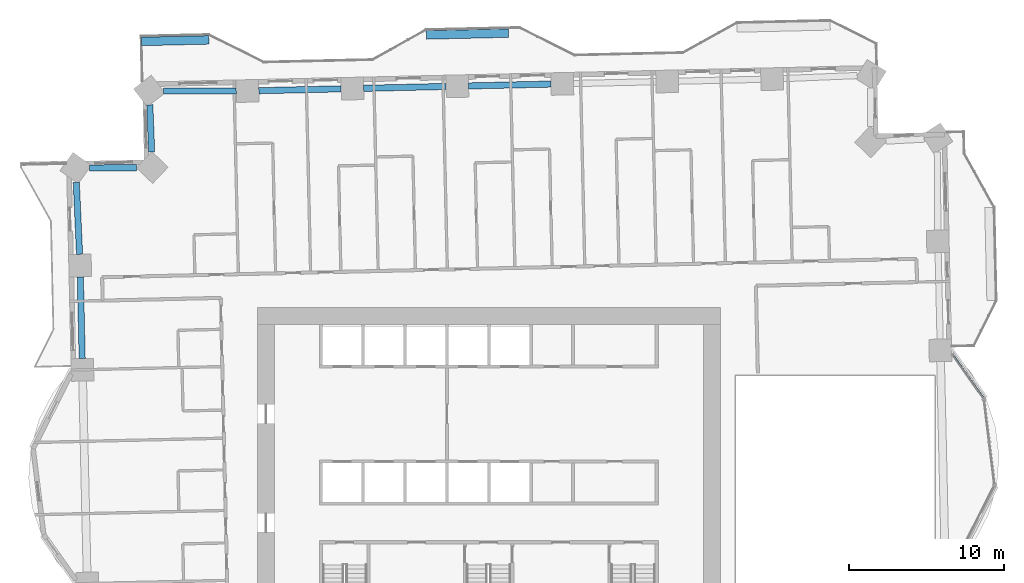
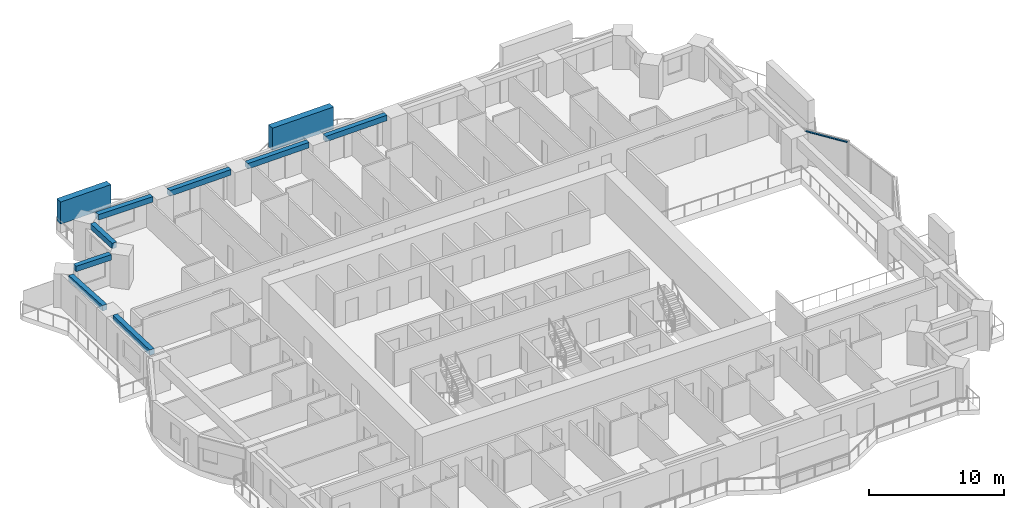
# One storey, part 3 of 17: 8 beams, 3 members, 1 element without a shape of its own.
"""IFC4 building model written with IfcOpenShell, lengths in metres."""

from ifc_helpers import new_model, si_unit, direction, frame, origin, origin_2d, place, context, subcontext, project, spatial, rectangle, extrude, material, material_profile, profile_set, type_object, element, aggregate, save


model = new_model("IFC4")

# Units and contexts
model_context = context("Model", 3, precision=1e-05, world=origin(), true_north=direction((0.0, 1.0)))
body_context = subcontext(model_context, "Body", "Model", "MODEL_VIEW")
ifc_project = project(units=[si_unit("LENGTHUNIT", "METRE"), si_unit("AREAUNIT", "SQUARE_METRE"), si_unit("VOLUMEUNIT", "CUBIC_METRE"), si_unit("PLANEANGLEUNIT", "RADIAN"), si_unit("MASSUNIT", "GRAM", prefix="KILO")], contexts=[model_context])

# Site, building, storey
site_placement = place(None, origin())
site = spatial("IfcSite", under=ifc_project, at=site_placement, CompositionType="ELEMENT")
building_placement = place(site_placement, origin())
building = spatial("IfcBuilding", under=site, at=building_placement, Name="Mangrove Gate Tower", CompositionType="ELEMENT")
storey_placement = place(building_placement, frame((0.0, 0.0, 82.89990234375)))
storey = spatial("IfcBuildingStorey", under=building, at=storey_placement, Name="L20", CompositionType="ELEMENT", Elevation=82.89990234375)

# Curtain wall, member
ifc_material_1 = material(Name="Aluminium and glass curtain wall", Category="aluminium")
curtain_wall_type = type_object("IfcCurtainWallType", Name="Atrium garden-court glazing wall", PredefinedType="NOTDEFINED", material=ifc_material_1)
curtain_wall_placement = place(storey_placement, origin())
curtain_wall = element("IfcCurtainWall", 1, at=curtain_wall_placement, inside=storey, type_object=curtain_wall_type, Name="Atrium garden-court glazing E1f3", PredefinedType="NOTDEFINED")
ifc_material_2 = material(Name="Aluminium alloy 6063-T6", Category="aluminium")
ifc_material_profile_1 = material_profile(ifc_material_2, rectangle(XDim=0.070068359375, YDim=0.14990234375, at=origin_2d()))
ifc_profile_set_1 = profile_set([ifc_material_profile_1], Name="Aluminium alloy 6063-T6")
member_type_1 = type_object("IfcMemberType", Name="Atrium garden-court glazing transom 70x150", PredefinedType="USERDEFINED", material=ifc_profile_set_1)
member_1_placement = place(storey_placement, frame((31.810791015625, 6.06689453125, 3.01513671875), z_axis=(-0.578094404228, 0.815969889028, 0.0), x_axis=(0.0, 0.0, 1.0)))
member_1 = element("IfcMember", 2, at=member_1_placement, type_object=member_type_1, Name="CWA transom 1.2", ObjectType="TRANSOM", PredefinedType="USERDEFINED", context=body_context, shape_type="SweptSolid", body=[
    extrude(rectangle(XDim=0.070068359375, YDim=0.14990234375, at=origin_2d()), origin(), (0.0, 0.0, 1.0), 3.427978515625),
])
aggregate(curtain_wall, [member_1])

# Members
ifc_material_3 = material(Name="Planting on aluminium trellis", Category="aluminium")
ifc_material_profile_2 = material_profile(ifc_material_3, rectangle(XDim=0.550048828125, YDim=2.0, at=origin_2d()))
ifc_profile_set_2 = profile_set([ifc_material_profile_2], Name="Planting on aluminium trellis")
member_type_2 = type_object("IfcMemberType", Name="Balcony greenery screen 550x2000", PredefinedType="USERDEFINED", material=ifc_profile_set_2)
member_2_placement = place(storey_placement, frame((-22.364013671875, 29.028076171875, 1.800048828125), z_axis=(0.999739971854, 0.022803260228, 0.0), x_axis=(-0.022803260228, 0.999739971854, 0.0)))
element("IfcMember", 3, at=member_2_placement, inside=storey, type_object=member_type_2, Name="GREEN SCREEN L20 N1.1", ObjectType="PLANTING", PredefinedType="USERDEFINED", context=body_context, shape_type="SweptSolid", body=[
    extrude(rectangle(XDim=0.550048828125, YDim=2.0, at=origin_2d()), origin(), (0.0, 0.0, 1.0), 4.336181640625),
])
member_3_placement = place(storey_placement, frame((-4.031982421875, 29.444091796875, 1.800048828125), z_axis=(0.999739953222, 0.022804077086, 0.0), x_axis=(-0.022804077086, 0.999739953222, 0.0)))
element("IfcMember", 4, at=member_3_placement, inside=storey, type_object=member_type_2, Name="GREEN SCREEN L20 N1.2", ObjectType="PLANTING", PredefinedType="USERDEFINED", context=body_context, shape_type="SweptSolid", body=[
    extrude(rectangle(XDim=0.550048828125, YDim=2.0, at=origin_2d()), origin(), (0.0, 0.0, 1.0), 5.299560546875),
])

# Beams
ifc_material_4 = material(Name="Concrete C50/60", Category="concrete")
ifc_material_profile_3 = material_profile(ifc_material_4, rectangle(XDim=0.39990234375, YDim=0.5, at=origin_2d()))
ifc_profile_set_3 = profile_set([ifc_material_profile_3], Name="Concrete C50/60")
beam_type = type_object("IfcBeamType", Name="Edge beam RC 400x500 C50/60", PredefinedType="BEAM", material=ifc_profile_set_3)
beam_1_placement = place(storey_placement, frame((3.99365234375, 26.28564453125, 2.800048828125), z_axis=(-0.99974349642, -0.02264820887, 0.0), x_axis=(0.02264820887, -0.99974349642, 0.0)))
element("IfcBeam", 5, at=beam_1_placement, inside=storey, type_object=beam_type, Name="Edge beam L20 23", PredefinedType="BEAM", context=body_context, shape_type="SweptSolid", body=[
    extrude(rectangle(XDim=0.39990234375, YDim=0.5, at=origin_2d()), origin(), (0.0, 0.0, 1.0), 5.3037109375),
])
beam_2_placement = place(storey_placement, frame((-2.75830078125, 26.132568359375, 2.800048828125), z_axis=(-0.999740288296, -0.022789382579, 0.0), x_axis=(0.022789382579, -0.999740288296, 0.0)))
element("IfcBeam", 6, at=beam_2_placement, inside=storey, type_object=beam_type, Name="Edge beam L20 24", PredefinedType="BEAM", context=body_context, shape_type="SweptSolid", body=[
    extrude(rectangle(XDim=0.39990234375, YDim=0.5, at=origin_2d()), origin(), (0.0, 0.0, 1.0), 5.302978515625),
])
beam_3_placement = place(storey_placement, frame((-9.50927734375, 25.978759765625, 2.800048828125), z_axis=(-0.999743520031, -0.022647166622, 0.0), x_axis=(0.022647166622, -0.999743520031, 0.0)))
element("IfcBeam", 7, at=beam_3_placement, inside=storey, type_object=beam_type, Name="Edge beam L20 25", PredefinedType="BEAM", context=body_context, shape_type="SweptSolid", body=[
    extrude(rectangle(XDim=0.39990234375, YDim=0.5, at=origin_2d()), origin(), (0.0, 0.0, 1.0), 5.303955078125),
])
beam_4_placement = place(storey_placement, frame((-16.26171875, 25.842041015625, 2.800048828125), z_axis=(-0.999999987755, -0.000156494521, 0.0), x_axis=(0.000156494521, -0.999999987755, 0.0)))
element("IfcBeam", 8, at=beam_4_placement, inside=storey, type_object=beam_type, Name="Edge beam L20 26", PredefinedType="BEAM", context=body_context, shape_type="SweptSolid", body=[
    extrude(rectangle(XDim=0.39990234375, YDim=0.5, at=origin_2d()), origin(), (0.0, 0.0, 1.0), 4.68017578125),
])
beam_5_placement = place(storey_placement, frame((-21.82470703125, 24.950439453125, 2.800048828125), z_axis=(0.039073580826, -0.999236336049, 0.0), x_axis=(0.999236336049, 0.039073580826, 0.0)))
element("IfcBeam", 9, at=beam_5_placement, inside=storey, type_object=beam_type, Name="Edge beam L20 27", PredefinedType="BEAM", context=body_context, shape_type="SweptSolid", body=[
    extrude(rectangle(XDim=0.39990234375, YDim=0.5, at=origin_2d()), origin(), (0.0, 0.0, 1.0), 3.0302734375),
])
beam_6_placement = place(storey_placement, frame((-22.67578125, 20.907470703125, 2.800048828125), z_axis=(-0.99997920912, -0.006448358595, 0.0), x_axis=(0.006448358595, -0.99997920912, 0.0)))
element("IfcBeam", 10, at=beam_6_placement, inside=storey, type_object=beam_type, Name="Edge beam L20 28", PredefinedType="BEAM", context=body_context, shape_type="SweptSolid", body=[
    extrude(rectangle(XDim=0.39990234375, YDim=0.5, at=origin_2d()), origin(), (0.0, 0.0, 1.0), 3.02880859375),
])
beam_7_placement = place(storey_placement, frame((-26.55615234375, 19.96337890625, 2.800048828125), z_axis=(0.045496038402, -0.998964519135, 0.0), x_axis=(0.998964519135, 0.045496038402, 0.0)))
element("IfcBeam", 11, at=beam_7_placement, inside=storey, type_object=beam_type, Name="Edge beam L20 29", PredefinedType="BEAM", context=body_context, shape_type="SweptSolid", body=[
    extrude(rectangle(XDim=0.39990234375, YDim=0.5, at=origin_2d()), origin(), (0.0, 0.0, 1.0), 4.636474609375),
])
beam_8_placement = place(storey_placement, frame((-26.295654296875, 13.882568359375, 2.800048828125), z_axis=(0.02264340849, -0.999743605157, 0.0), x_axis=(0.999743605157, 0.02264340849, 0.0)))
element("IfcBeam", 12, at=beam_8_placement, inside=storey, type_object=beam_type, Name="Edge beam L20 30", PredefinedType="BEAM", context=body_context, shape_type="SweptSolid", body=[
    extrude(rectangle(XDim=0.39990234375, YDim=0.5, at=origin_2d()), origin(), (0.0, 0.0, 1.0), 5.26171875),
])

save(model, "model.ifc")
